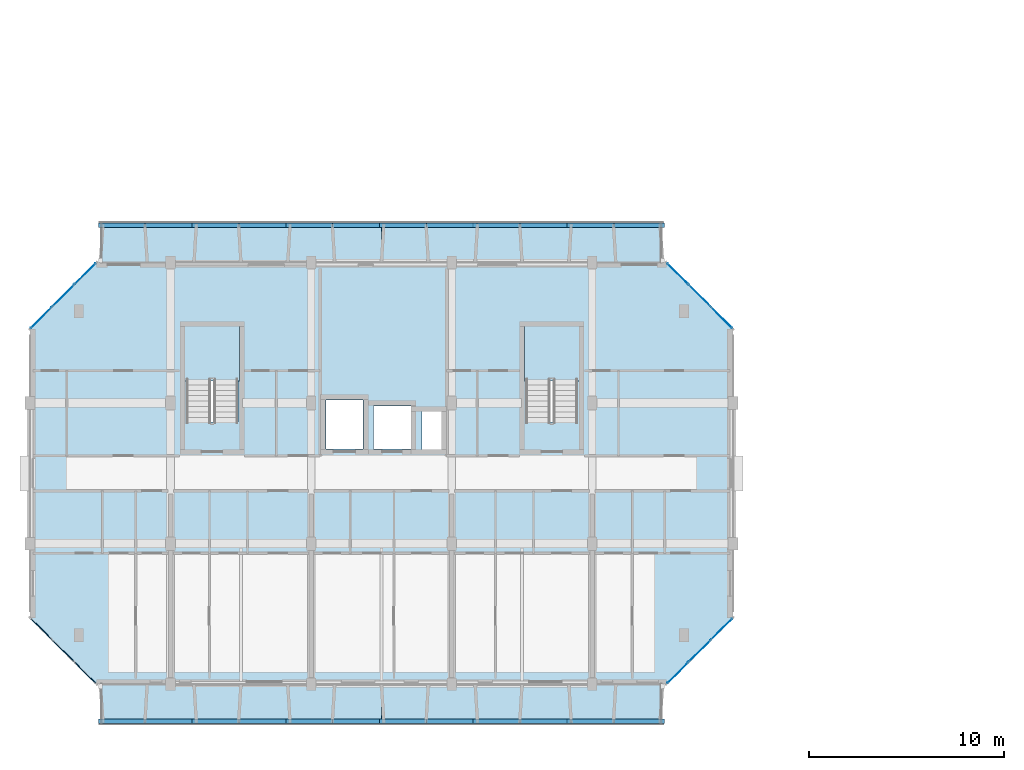
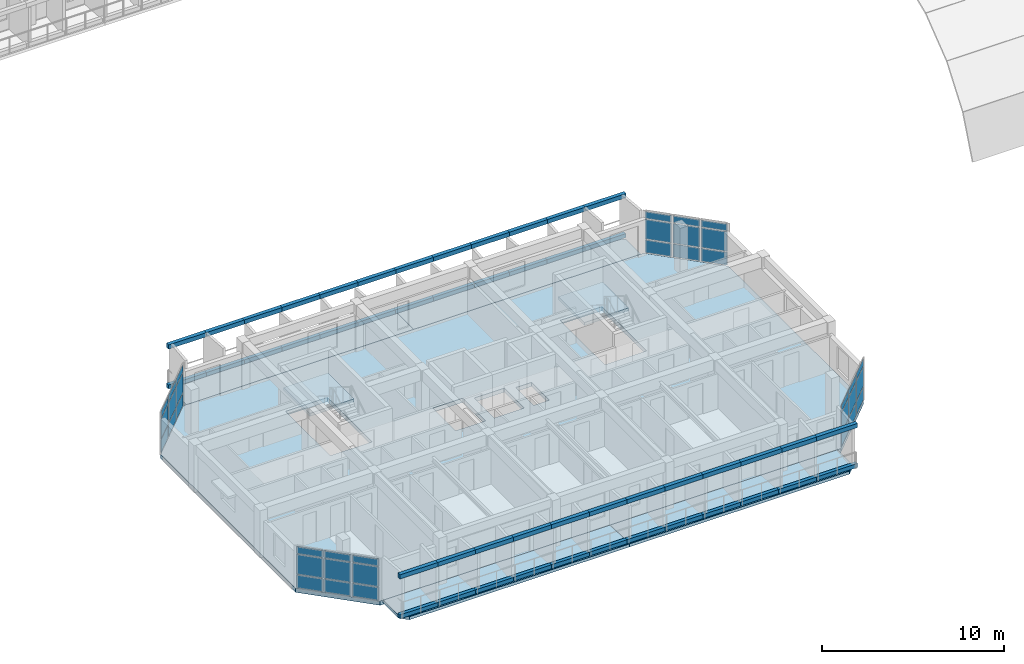
# One storey, part 12 of 51: 84 plates, 7 slabs, 6 elements without a shape of their own.
"""IFC4 building model written with IfcOpenShell, lengths in metres."""

from ifc_helpers import new_model, si_unit, direction, frame, origin, origin_2d, place, context, subcontext, project, spatial, polyline, rectangle, outline, extrude, material, layer, layer_set, type_object, element, aggregate, save


model = new_model("IFC4")

# Units and contexts
model_context = context("Model", 3, precision=1e-05, world=origin(), true_north=direction((0.0, 1.0)))
body_context = subcontext(model_context, "Body", "Model", "MODEL_VIEW")
ifc_project = project(units=[si_unit("LENGTHUNIT", "METRE"), si_unit("AREAUNIT", "SQUARE_METRE"), si_unit("VOLUMEUNIT", "CUBIC_METRE"), si_unit("PLANEANGLEUNIT", "RADIAN"), si_unit("MASSUNIT", "GRAM", prefix="KILO")], contexts=[model_context])

# Site, building, storey
site_placement = place(None, origin())
site = spatial("IfcSite", under=ifc_project, at=site_placement, CompositionType="ELEMENT")
building_placement = place(site_placement, origin())
building = spatial("IfcBuilding", under=site, at=building_placement, Name="Ochrevale Crest", CompositionType="ELEMENT")
storey_placement = place(building_placement, frame((0.0, 0.0, 11.85009765625)))
storey = spatial("IfcBuildingStorey", under=building, at=storey_placement, Name="L03", CompositionType="ELEMENT", Elevation=11.85009765625)

# Curtain wall, plates
ifc_material_1 = material(Name="Anodised aluminium 6063-T5", Category="aluminium")
ifc_layer_1 = layer(ifc_material_1, 0.14990234375)
ifc_layer_set_1 = layer_set([ifc_layer_1], Name="Anodised aluminium 6063-T5")
curtain_wall_type_1 = type_object("IfcCurtainWallType", Name="CW-WG-240x285", PredefinedType="NOTDEFINED", material=ifc_layer_set_1)
curtain_wall_1_placement = place(storey_placement, origin())
curtain_wall_1 = element("IfcCurtainWall", 1, at=curtain_wall_1_placement, inside=storey, type_object=curtain_wall_type_1, Name="Block A L03 chamfered corner wintergarden curtain wall 2", PredefinedType="NOTDEFINED")
ifc_material_2 = material(Name="Double-glazed low-E insulated glass unit", Category="glass")
ifc_layer_2 = layer(ifc_material_2, 0.028076171875)
ifc_layer_set_2 = layer_set([ifc_layer_2], Name="Double-glazed low-E insulated glass unit")
plate_type_1 = type_object("IfcPlateType", Name="CW-PNL-IGU28", PredefinedType="CURTAIN_PANEL", material=ifc_layer_set_2)
plate_1_placement = place(storey_placement, frame((33.179931640625, 14.97998046875, 0.06005859375), z_axis=(0.0, 0.0, 1.0), x_axis=(0.707106781187, 0.707106781187, 0.0)))
plate_1 = element("IfcPlate", 2, at=plate_1_placement, type_object=plate_type_1, Name="CW15 panel 1.1", PredefinedType="CURTAIN_PANEL", context=body_context, shape_type="SweptSolid", body=[
    extrude(rectangle(XDim=1.490234375, YDim=0.028076171875, at=origin_2d()), origin(), (0.0, 0.0, 1.0), 0.860107421875),
])
plate_2_placement = place(storey_placement, frame((33.179931640625, 14.97998046875, 0.97998046875), z_axis=(0.0, 0.0, 1.0), x_axis=(0.707106781187, 0.707106781187, 0.0)))
plate_2 = element("IfcPlate", 3, at=plate_2_placement, type_object=plate_type_1, Name="CW15 panel 1.2", PredefinedType="CURTAIN_PANEL", context=body_context, shape_type="SweptSolid", body=[
    extrude(rectangle(XDim=1.490234375, YDim=0.028076171875, at=origin_2d()), origin(), (0.0, 0.0, 1.0), 1.31494140625),
])
plate_3_placement = place(storey_placement, frame((33.179931640625, 14.97998046875, 2.35498046875), z_axis=(0.0, 0.0, 1.0), x_axis=(0.707106781187, 0.707106781187, 0.0)))
plate_3 = element("IfcPlate", 4, at=plate_3_placement, type_object=plate_type_1, Name="CW15 panel 1.3", PredefinedType="CURTAIN_PANEL", context=body_context, shape_type="SweptSolid", body=[
    extrude(rectangle(XDim=1.490234375, YDim=0.028076171875, at=origin_2d()), origin(), (0.0, 0.0, 1.0), 0.4599609375),
])
plate_4_placement = place(storey_placement, frame((34.300048828125, 16.10009765625, 0.06005859375), z_axis=(0.0, 0.0, 1.0), x_axis=(0.707106781187, 0.707106781187, 0.0)))
plate_4 = element("IfcPlate", 5, at=plate_4_placement, type_object=plate_type_1, Name="CW15 panel 2.1", PredefinedType="CURTAIN_PANEL", context=body_context, shape_type="SweptSolid", body=[
    extrude(rectangle(XDim=1.52783203125, YDim=0.028076171875, at=origin_2d()), origin(), (0.0, 0.0, 1.0), 0.860107421875),
])
plate_5_placement = place(storey_placement, frame((34.300048828125, 16.10009765625, 0.97998046875), z_axis=(0.0, 0.0, 1.0), x_axis=(0.707106781187, 0.707106781187, 0.0)))
plate_5 = element("IfcPlate", 6, at=plate_5_placement, type_object=plate_type_1, Name="CW15 panel 2.2", PredefinedType="CURTAIN_PANEL", context=body_context, shape_type="SweptSolid", body=[
    extrude(rectangle(XDim=1.52783203125, YDim=0.028076171875, at=origin_2d()), origin(), (0.0, 0.0, 1.0), 1.31494140625),
])
plate_6_placement = place(storey_placement, frame((34.300048828125, 16.10009765625, 2.35498046875), z_axis=(0.0, 0.0, 1.0), x_axis=(0.707106781187, 0.707106781187, 0.0)))
plate_6 = element("IfcPlate", 7, at=plate_6_placement, type_object=plate_type_1, Name="CW15 panel 2.3", PredefinedType="CURTAIN_PANEL", context=body_context, shape_type="SweptSolid", body=[
    extrude(rectangle(XDim=1.52783203125, YDim=0.028076171875, at=origin_2d()), origin(), (0.0, 0.0, 1.0), 0.4599609375),
])
plate_7_placement = place(storey_placement, frame((35.420166015625, 17.219970703125, 0.06005859375), z_axis=(0.0, 0.0, 1.0), x_axis=(0.707106781187, 0.707106781187, 0.0)))
plate_7 = element("IfcPlate", 8, at=plate_7_placement, type_object=plate_type_1, Name="CW15 panel 3.1", PredefinedType="CURTAIN_PANEL", context=body_context, shape_type="SweptSolid", body=[
    extrude(rectangle(XDim=1.490234375, YDim=0.028076171875, at=origin_2d()), origin(), (0.0, 0.0, 1.0), 0.860107421875),
])
plate_8_placement = place(storey_placement, frame((35.420166015625, 17.219970703125, 0.97998046875), z_axis=(0.0, 0.0, 1.0), x_axis=(0.707106781187, 0.707106781187, 0.0)))
plate_8 = element("IfcPlate", 9, at=plate_8_placement, type_object=plate_type_1, Name="CW15 panel 3.2", PredefinedType="CURTAIN_PANEL", context=body_context, shape_type="SweptSolid", body=[
    extrude(rectangle(XDim=1.490234375, YDim=0.028076171875, at=origin_2d()), origin(), (0.0, 0.0, 1.0), 1.31494140625),
])
plate_9_placement = place(storey_placement, frame((35.420166015625, 17.219970703125, 2.35498046875), z_axis=(0.0, 0.0, 1.0), x_axis=(0.707106781187, 0.707106781187, 0.0)))
plate_9 = element("IfcPlate", 10, at=plate_9_placement, type_object=plate_type_1, Name="CW15 panel 3.3", PredefinedType="CURTAIN_PANEL", context=body_context, shape_type="SweptSolid", body=[
    extrude(rectangle(XDim=1.490234375, YDim=0.028076171875, at=origin_2d()), origin(), (0.0, 0.0, 1.0), 0.4599609375),
])
aggregate(curtain_wall_1, [plate_1, plate_2, plate_3, plate_4, plate_5, plate_6, plate_7, plate_8, plate_9])

ifc_layer_3 = layer(ifc_material_1, 0.14990234375)
ifc_layer_set_3 = layer_set([ifc_layer_3], Name="Anodised aluminium 6063-T5")
curtain_wall_type_2 = type_object("IfcCurtainWallType", Name="CW-WG-320x285", PredefinedType="NOTDEFINED", material=ifc_layer_set_3)
curtain_wall_2_placement = place(storey_placement, origin())
curtain_wall_2 = element("IfcCurtainWall", 11, at=curtain_wall_2_placement, inside=storey, type_object=curtain_wall_type_2, Name="Block A L03 chamfered corner wintergarden curtain wall 4", PredefinedType="NOTDEFINED")
plate_10_placement = place(storey_placement, frame((35.420166015625, 33.179931640625, 0.06005859375), z_axis=(0.0, 0.0, 1.0), x_axis=(-0.707106781187, 0.707106781187, 0.0)))
plate_10 = element("IfcPlate", 12, at=plate_10_placement, type_object=plate_type_1, Name="CW17 panel 1.1", PredefinedType="CURTAIN_PANEL", context=body_context, shape_type="SweptSolid", body=[
    extrude(rectangle(XDim=1.490234375, YDim=0.028076171875, at=origin_2d()), origin(), (0.0, 0.0, 1.0), 0.860107421875),
])
plate_11_placement = place(storey_placement, frame((35.420166015625, 33.179931640625, 0.97998046875), z_axis=(0.0, 0.0, 1.0), x_axis=(-0.707106781187, 0.707106781187, 0.0)))
plate_11 = element("IfcPlate", 13, at=plate_11_placement, type_object=plate_type_1, Name="CW17 panel 1.2", PredefinedType="CURTAIN_PANEL", context=body_context, shape_type="SweptSolid", body=[
    extrude(rectangle(XDim=1.490234375, YDim=0.028076171875, at=origin_2d()), origin(), (0.0, 0.0, 1.0), 1.31494140625),
])
plate_12_placement = place(storey_placement, frame((35.420166015625, 33.179931640625, 2.35498046875), z_axis=(0.0, 0.0, 1.0), x_axis=(-0.707106781187, 0.707106781187, 0.0)))
plate_12 = element("IfcPlate", 14, at=plate_12_placement, type_object=plate_type_1, Name="CW17 panel 1.3", PredefinedType="CURTAIN_PANEL", context=body_context, shape_type="SweptSolid", body=[
    extrude(rectangle(XDim=1.490234375, YDim=0.028076171875, at=origin_2d()), origin(), (0.0, 0.0, 1.0), 0.4599609375),
])
plate_13_placement = place(storey_placement, frame((34.300048828125, 34.300048828125, 0.06005859375), z_axis=(0.0, 0.0, 1.0), x_axis=(-0.707106781187, 0.707106781187, 0.0)))
plate_13 = element("IfcPlate", 15, at=plate_13_placement, type_object=plate_type_1, Name="CW17 panel 2.1", PredefinedType="CURTAIN_PANEL", context=body_context, shape_type="SweptSolid", body=[
    extrude(rectangle(XDim=1.52783203125, YDim=0.028076171875, at=origin_2d()), origin(), (0.0, 0.0, 1.0), 0.860107421875),
])
plate_14_placement = place(storey_placement, frame((34.300048828125, 34.300048828125, 0.97998046875), z_axis=(0.0, 0.0, 1.0), x_axis=(-0.707106781187, 0.707106781187, 0.0)))
plate_14 = element("IfcPlate", 16, at=plate_14_placement, type_object=plate_type_1, Name="CW17 panel 2.2", PredefinedType="CURTAIN_PANEL", context=body_context, shape_type="SweptSolid", body=[
    extrude(rectangle(XDim=1.52783203125, YDim=0.028076171875, at=origin_2d()), origin(), (0.0, 0.0, 1.0), 1.31494140625),
])
plate_15_placement = place(storey_placement, frame((34.300048828125, 34.300048828125, 2.35498046875), z_axis=(0.0, 0.0, 1.0), x_axis=(-0.707106781187, 0.707106781187, 0.0)))
plate_15 = element("IfcPlate", 17, at=plate_15_placement, type_object=plate_type_1, Name="CW17 panel 2.3", PredefinedType="CURTAIN_PANEL", context=body_context, shape_type="SweptSolid", body=[
    extrude(rectangle(XDim=1.52783203125, YDim=0.028076171875, at=origin_2d()), origin(), (0.0, 0.0, 1.0), 0.4599609375),
])
plate_16_placement = place(storey_placement, frame((33.179931640625, 35.420166015625, 0.06005859375), z_axis=(0.0, 0.0, 1.0), x_axis=(-0.707106781187, 0.707106781187, 0.0)))
plate_16 = element("IfcPlate", 18, at=plate_16_placement, type_object=plate_type_1, Name="CW17 panel 3.1", PredefinedType="CURTAIN_PANEL", context=body_context, shape_type="SweptSolid", body=[
    extrude(rectangle(XDim=1.490234375, YDim=0.028076171875, at=origin_2d()), origin(), (0.0, 0.0, 1.0), 0.860107421875),
])
plate_17_placement = place(storey_placement, frame((33.179931640625, 35.420166015625, 0.97998046875), z_axis=(0.0, 0.0, 1.0), x_axis=(-0.707106781187, 0.707106781187, 0.0)))
plate_17 = element("IfcPlate", 19, at=plate_17_placement, type_object=plate_type_1, Name="CW17 panel 3.2", PredefinedType="CURTAIN_PANEL", context=body_context, shape_type="SweptSolid", body=[
    extrude(rectangle(XDim=1.490234375, YDim=0.028076171875, at=origin_2d()), origin(), (0.0, 0.0, 1.0), 1.31494140625),
])
plate_18_placement = place(storey_placement, frame((33.179931640625, 35.420166015625, 2.35498046875), z_axis=(0.0, 0.0, 1.0), x_axis=(-0.707106781187, 0.707106781187, 0.0)))
plate_18 = element("IfcPlate", 20, at=plate_18_placement, type_object=plate_type_1, Name="CW17 panel 3.3", PredefinedType="CURTAIN_PANEL", context=body_context, shape_type="SweptSolid", body=[
    extrude(rectangle(XDim=1.490234375, YDim=0.028076171875, at=origin_2d()), origin(), (0.0, 0.0, 1.0), 0.4599609375),
])
aggregate(curtain_wall_2, [plate_10, plate_11, plate_12, plate_13, plate_14, plate_15, plate_16, plate_17, plate_18])

ifc_layer_4 = layer(ifc_material_1, 0.14990234375)
ifc_layer_set_4 = layer_set([ifc_layer_4], Name="Anodised aluminium 6063-T5")
curtain_wall_type_3 = type_object("IfcCurtainWallType", Name="CW-WG-420x285", PredefinedType="NOTDEFINED", material=ifc_layer_set_4)
curtain_wall_3_placement = place(storey_placement, origin())
curtain_wall_3 = element("IfcCurtainWall", 21, at=curtain_wall_3_placement, inside=storey, type_object=curtain_wall_type_3, Name="Block A L03 chamfered corner wintergarden curtain wall 6", PredefinedType="NOTDEFINED")
plate_19_placement = place(storey_placement, frame((2.820068359375, 35.420166015625, 0.06005859375), z_axis=(0.0, 0.0, 1.0), x_axis=(-0.707106781187, -0.707106781187, 0.0)))
plate_19 = element("IfcPlate", 22, at=plate_19_placement, type_object=plate_type_1, Name="CW22 panel 1.1", PredefinedType="CURTAIN_PANEL", context=body_context, shape_type="SweptSolid", body=[
    extrude(rectangle(XDim=1.490234375, YDim=0.028076171875, at=origin_2d()), origin(), (0.0, 0.0, 1.0), 0.860107421875),
])
plate_20_placement = place(storey_placement, frame((2.820068359375, 35.420166015625, 0.97998046875), z_axis=(0.0, 0.0, 1.0), x_axis=(-0.707106781187, -0.707106781187, 0.0)))
plate_20 = element("IfcPlate", 23, at=plate_20_placement, type_object=plate_type_1, Name="CW22 panel 1.2", PredefinedType="CURTAIN_PANEL", context=body_context, shape_type="SweptSolid", body=[
    extrude(rectangle(XDim=1.490234375, YDim=0.028076171875, at=origin_2d()), origin(), (0.0, 0.0, 1.0), 1.31494140625),
])
plate_21_placement = place(storey_placement, frame((2.820068359375, 35.420166015625, 2.35498046875), z_axis=(0.0, 0.0, 1.0), x_axis=(-0.707106781187, -0.707106781187, 0.0)))
plate_21 = element("IfcPlate", 24, at=plate_21_placement, type_object=plate_type_1, Name="CW22 panel 1.3", PredefinedType="CURTAIN_PANEL", context=body_context, shape_type="SweptSolid", body=[
    extrude(rectangle(XDim=1.490234375, YDim=0.028076171875, at=origin_2d()), origin(), (0.0, 0.0, 1.0), 0.4599609375),
])
plate_22_placement = place(storey_placement, frame((1.699951171875, 34.300048828125, 0.06005859375), z_axis=(0.0, 0.0, 1.0), x_axis=(-0.707106781187, -0.707106781187, 0.0)))
plate_22 = element("IfcPlate", 25, at=plate_22_placement, type_object=plate_type_1, Name="CW22 panel 2.1", PredefinedType="CURTAIN_PANEL", context=body_context, shape_type="SweptSolid", body=[
    extrude(rectangle(XDim=1.52783203125, YDim=0.028076171875, at=origin_2d()), origin(), (0.0, 0.0, 1.0), 0.860107421875),
])
plate_23_placement = place(storey_placement, frame((1.699951171875, 34.300048828125, 0.97998046875), z_axis=(0.0, 0.0, 1.0), x_axis=(-0.707106781187, -0.707106781187, 0.0)))
plate_23 = element("IfcPlate", 26, at=plate_23_placement, type_object=plate_type_1, Name="CW22 panel 2.2", PredefinedType="CURTAIN_PANEL", context=body_context, shape_type="SweptSolid", body=[
    extrude(rectangle(XDim=1.52783203125, YDim=0.028076171875, at=origin_2d()), origin(), (0.0, 0.0, 1.0), 1.31494140625),
])
plate_24_placement = place(storey_placement, frame((1.699951171875, 34.300048828125, 2.35498046875), z_axis=(0.0, 0.0, 1.0), x_axis=(-0.707106781187, -0.707106781187, 0.0)))
plate_24 = element("IfcPlate", 27, at=plate_24_placement, type_object=plate_type_1, Name="CW22 panel 2.3", PredefinedType="CURTAIN_PANEL", context=body_context, shape_type="SweptSolid", body=[
    extrude(rectangle(XDim=1.52783203125, YDim=0.028076171875, at=origin_2d()), origin(), (0.0, 0.0, 1.0), 0.4599609375),
])
plate_25_placement = place(storey_placement, frame((0.579833984375, 33.179931640625, 0.06005859375), z_axis=(0.0, 0.0, 1.0), x_axis=(-0.707106781187, -0.707106781187, 0.0)))
plate_25 = element("IfcPlate", 28, at=plate_25_placement, type_object=plate_type_1, Name="CW22 panel 3.1", PredefinedType="CURTAIN_PANEL", context=body_context, shape_type="SweptSolid", body=[
    extrude(rectangle(XDim=1.490234375, YDim=0.028076171875, at=origin_2d()), origin(), (0.0, 0.0, 1.0), 0.860107421875),
])
plate_26_placement = place(storey_placement, frame((0.579833984375, 33.179931640625, 0.97998046875), z_axis=(0.0, 0.0, 1.0), x_axis=(-0.707106781187, -0.707106781187, 0.0)))
plate_26 = element("IfcPlate", 29, at=plate_26_placement, type_object=plate_type_1, Name="CW22 panel 3.2", PredefinedType="CURTAIN_PANEL", context=body_context, shape_type="SweptSolid", body=[
    extrude(rectangle(XDim=1.490234375, YDim=0.028076171875, at=origin_2d()), origin(), (0.0, 0.0, 1.0), 1.31494140625),
])
plate_27_placement = place(storey_placement, frame((0.579833984375, 33.179931640625, 2.35498046875), z_axis=(0.0, 0.0, 1.0), x_axis=(-0.707106781187, -0.707106781187, 0.0)))
plate_27 = element("IfcPlate", 30, at=plate_27_placement, type_object=plate_type_1, Name="CW22 panel 3.3", PredefinedType="CURTAIN_PANEL", context=body_context, shape_type="SweptSolid", body=[
    extrude(rectangle(XDim=1.490234375, YDim=0.028076171875, at=origin_2d()), origin(), (0.0, 0.0, 1.0), 0.4599609375),
])
aggregate(curtain_wall_3, [plate_19, plate_20, plate_21, plate_22, plate_23, plate_24, plate_25, plate_26, plate_27])

ifc_layer_5 = layer(ifc_material_1, 0.14990234375)
ifc_layer_set_5 = layer_set([ifc_layer_5], Name="Anodised aluminium 6063-T5")
curtain_wall_type_4 = type_object("IfcCurtainWallType", Name="CW-WG-280x285", PredefinedType="NOTDEFINED", material=ifc_layer_set_5)
curtain_wall_4_placement = place(storey_placement, origin())
curtain_wall_4 = element("IfcCurtainWall", 31, at=curtain_wall_4_placement, inside=storey, type_object=curtain_wall_type_4, Name="Block A L03 chamfered corner wintergarden curtain wall 8", PredefinedType="NOTDEFINED")
ifc_material_3 = material(Name="Acoustic laminated low-E insulated glass unit", Category="glass")
ifc_layer_6 = layer(ifc_material_3, 0.0380859375)
ifc_layer_set_6 = layer_set([ifc_layer_6], Name="Acoustic laminated low-E insulated glass unit")
plate_type_2 = type_object("IfcPlateType", Name="CW-PNL-IGU38", PredefinedType="CURTAIN_PANEL", material=ifc_layer_set_6)
plate_28_placement = place(storey_placement, frame((0.579833984375, 17.219970703125, 0.06005859375), z_axis=(0.0, 0.0, 1.0), x_axis=(0.707106781187, -0.707106781187, 0.0)))
plate_28 = element("IfcPlate", 32, at=plate_28_placement, type_object=plate_type_2, Name="CW16 panel 1.1", PredefinedType="CURTAIN_PANEL", context=body_context, shape_type="SweptSolid", body=[
    extrude(rectangle(XDim=1.490234375, YDim=0.0380859375, at=origin_2d()), origin(), (0.0, 0.0, 1.0), 0.860107421875),
])
plate_29_placement = place(storey_placement, frame((0.579833984375, 17.219970703125, 0.97998046875), z_axis=(0.0, 0.0, 1.0), x_axis=(0.707106781187, -0.707106781187, 0.0)))
plate_29 = element("IfcPlate", 33, at=plate_29_placement, type_object=plate_type_2, Name="CW16 panel 1.2", PredefinedType="CURTAIN_PANEL", context=body_context, shape_type="SweptSolid", body=[
    extrude(rectangle(XDim=1.490234375, YDim=0.0380859375, at=origin_2d()), origin(), (0.0, 0.0, 1.0), 1.31494140625),
])
plate_30_placement = place(storey_placement, frame((0.579833984375, 17.219970703125, 2.35498046875), z_axis=(0.0, 0.0, 1.0), x_axis=(0.707106781187, -0.707106781187, 0.0)))
plate_30 = element("IfcPlate", 34, at=plate_30_placement, type_object=plate_type_2, Name="CW16 panel 1.3", PredefinedType="CURTAIN_PANEL", context=body_context, shape_type="SweptSolid", body=[
    extrude(rectangle(XDim=1.490234375, YDim=0.0380859375, at=origin_2d()), origin(), (0.0, 0.0, 1.0), 0.4599609375),
])
plate_31_placement = place(storey_placement, frame((1.699951171875, 16.10009765625, 0.06005859375), z_axis=(0.0, 0.0, 1.0), x_axis=(0.707106781187, -0.707106781187, 0.0)))
plate_31 = element("IfcPlate", 35, at=plate_31_placement, type_object=plate_type_2, Name="CW16 panel 2.1", PredefinedType="CURTAIN_PANEL", context=body_context, shape_type="SweptSolid", body=[
    extrude(rectangle(XDim=1.52783203125, YDim=0.0380859375, at=origin_2d()), origin(), (0.0, 0.0, 1.0), 0.860107421875),
])
plate_32_placement = place(storey_placement, frame((1.699951171875, 16.10009765625, 0.97998046875), z_axis=(0.0, 0.0, 1.0), x_axis=(0.707106781187, -0.707106781187, 0.0)))
plate_32 = element("IfcPlate", 36, at=plate_32_placement, type_object=plate_type_2, Name="CW16 panel 2.2", PredefinedType="CURTAIN_PANEL", context=body_context, shape_type="SweptSolid", body=[
    extrude(rectangle(XDim=1.52783203125, YDim=0.0380859375, at=origin_2d()), origin(), (0.0, 0.0, 1.0), 1.31494140625),
])
plate_33_placement = place(storey_placement, frame((1.699951171875, 16.10009765625, 2.35498046875), z_axis=(0.0, 0.0, 1.0), x_axis=(0.707106781187, -0.707106781187, 0.0)))
plate_33 = element("IfcPlate", 37, at=plate_33_placement, type_object=plate_type_2, Name="CW16 panel 2.3", PredefinedType="CURTAIN_PANEL", context=body_context, shape_type="SweptSolid", body=[
    extrude(rectangle(XDim=1.52783203125, YDim=0.0380859375, at=origin_2d()), origin(), (0.0, 0.0, 1.0), 0.4599609375),
])
plate_34_placement = place(storey_placement, frame((2.820068359375, 14.97998046875, 0.06005859375), z_axis=(0.0, 0.0, 1.0), x_axis=(0.707106781187, -0.707106781187, 0.0)))
plate_34 = element("IfcPlate", 38, at=plate_34_placement, type_object=plate_type_2, Name="CW16 panel 3.1", PredefinedType="CURTAIN_PANEL", context=body_context, shape_type="SweptSolid", body=[
    extrude(rectangle(XDim=1.490234375, YDim=0.0380859375, at=origin_2d()), origin(), (0.0, 0.0, 1.0), 0.860107421875),
])
plate_35_placement = place(storey_placement, frame((2.820068359375, 14.97998046875, 0.97998046875), z_axis=(0.0, 0.0, 1.0), x_axis=(0.707106781187, -0.707106781187, 0.0)))
plate_35 = element("IfcPlate", 39, at=plate_35_placement, type_object=plate_type_2, Name="CW16 panel 3.2", PredefinedType="CURTAIN_PANEL", context=body_context, shape_type="SweptSolid", body=[
    extrude(rectangle(XDim=1.490234375, YDim=0.0380859375, at=origin_2d()), origin(), (0.0, 0.0, 1.0), 1.31494140625),
])
plate_36_placement = place(storey_placement, frame((2.820068359375, 14.97998046875, 2.35498046875), z_axis=(0.0, 0.0, 1.0), x_axis=(0.707106781187, -0.707106781187, 0.0)))
plate_36 = element("IfcPlate", 40, at=plate_36_placement, type_object=plate_type_2, Name="CW16 panel 3.3", PredefinedType="CURTAIN_PANEL", context=body_context, shape_type="SweptSolid", body=[
    extrude(rectangle(XDim=1.490234375, YDim=0.0380859375, at=origin_2d()), origin(), (0.0, 0.0, 1.0), 0.4599609375),
])
aggregate(curtain_wall_4, [plate_28, plate_29, plate_30, plate_31, plate_32, plate_33, plate_34, plate_35, plate_36])

# Plates
ifc_material_4 = material(Name="Precast concrete C40/50", Category="concrete")
ifc_layer_7 = layer(ifc_material_4, 0.06005859375)
ifc_layer_set_7 = layer_set([ifc_layer_7], Name="Precast concrete C40/50")
plate_type_3 = type_object("IfcPlateType", Name="PLT-HC-HEAD-60", PredefinedType="USERDEFINED", material=ifc_layer_set_7)
for number, where, z_axis, x_axis, name in (
    (41, (4.800048828125, 12.5, 2.669921875), (0.0, 0.0, 1.0), (1.0, 0.0, 0.0), "Block A L03 S honeycomb arched lintel fascia 1"),
    (42, (7.199951171875, 12.5, 2.669921875), (0.0, 0.0, 1.0), (1.0, 0.0, 0.0), "Block A L03 S honeycomb arched lintel fascia 2"),
    (43, (9.60009765625, 12.5, 2.669921875), (0.0, 0.0, 1.0), (1.0, 0.0, 0.0), "Block A L03 S honeycomb arched lintel fascia 3"),
    (44, (12.0, 12.5, 2.669921875), (0.0, 0.0, 1.0), (1.0, 0.0, 0.0), "Block A L03 S honeycomb arched lintel fascia 4"),
    (45, (14.39990234375, 12.5, 2.669921875), (0.0, 0.0, 1.0), (1.0, 0.0, 0.0), "Block A L03 S honeycomb arched lintel fascia 5"),
    (46, (16.800048828125, 12.5, 2.669921875), (0.0, 0.0, 1.0), (1.0, 0.0, 0.0), "Block A L03 S honeycomb arched lintel fascia 6"),
    (47, (19.199951171875, 12.5, 2.669921875), (0.0, 0.0, 1.0), (1.0, 0.0, 0.0), "Block A L03 S honeycomb arched lintel fascia 7"),
    (48, (21.60009765625, 12.5, 2.669921875), (0.0, 0.0, 1.0), (1.0, 0.0, 0.0), "Block A L03 S honeycomb arched lintel fascia 8"),
    (49, (24.0, 12.5, 2.669921875), (0.0, 0.0, 1.0), (1.0, 0.0, 0.0), "Block A L03 S honeycomb arched lintel fascia 9"),
    (50, (26.39990234375, 12.5, 2.669921875), (0.0, 0.0, 1.0), (1.0, 0.0, 0.0), "Block A L03 S honeycomb arched lintel fascia 10"),
    (51, (28.800048828125, 12.5, 2.669921875), (0.0, 0.0, 1.0), (1.0, 0.0, 0.0), "Block A L03 S honeycomb arched lintel fascia 11"),
    (52, (31.199951171875, 12.5, 2.669921875), (0.0, 0.0, 1.0), (1.0, 0.0, 0.0), "Block A L03 S honeycomb arched lintel fascia 12"),
    (53, (4.800048828125, 37.89990234375, 2.669921875), (0.0, 0.0, 1.0), (1.0, 0.0, 0.0), "Block A L03 N honeycomb arched lintel fascia 1"),
    (54, (7.199951171875, 37.89990234375, 2.669921875), (0.0, 0.0, 1.0), (1.0, 0.0, 0.0), "Block A L03 N honeycomb arched lintel fascia 2"),
    (55, (9.60009765625, 37.89990234375, 2.669921875), (0.0, 0.0, 1.0), (1.0, 0.0, 0.0), "Block A L03 N honeycomb arched lintel fascia 3"),
    (56, (12.0, 37.89990234375, 2.669921875), (0.0, 0.0, 1.0), (1.0, 0.0, 0.0), "Block A L03 N honeycomb arched lintel fascia 4"),
    (57, (14.39990234375, 37.89990234375, 2.669921875), (0.0, 0.0, 1.0), (1.0, 0.0, 0.0), "Block A L03 N honeycomb arched lintel fascia 5"),
    (58, (16.800048828125, 37.89990234375, 2.669921875), (0.0, 0.0, 1.0), (1.0, 0.0, 0.0), "Block A L03 N honeycomb arched lintel fascia 6"),
    (59, (19.199951171875, 37.89990234375, 2.669921875), (0.0, 0.0, 1.0), (1.0, 0.0, 0.0), "Block A L03 N honeycomb arched lintel fascia 7"),
    (60, (21.60009765625, 37.89990234375, 2.669921875), (0.0, 0.0, 1.0), (1.0, 0.0, 0.0), "Block A L03 N honeycomb arched lintel fascia 8"),
    (61, (24.0, 37.89990234375, 2.669921875), (0.0, 0.0, 1.0), (1.0, 0.0, 0.0), "Block A L03 N honeycomb arched lintel fascia 9"),
    (62, (26.39990234375, 37.89990234375, 2.669921875), (0.0, 0.0, 1.0), (1.0, 0.0, 0.0), "Block A L03 N honeycomb arched lintel fascia 10"),
    (63, (28.800048828125, 37.89990234375, 2.669921875), (0.0, 0.0, 1.0), (1.0, 0.0, 0.0), "Block A L03 N honeycomb arched lintel fascia 11"),
    (64, (31.199951171875, 37.89990234375, 2.669921875), (0.0, 0.0, 1.0), (1.0, 0.0, 0.0), "Block A L03 N honeycomb arched lintel fascia 12"),
):
    element("IfcPlate", number, at=place(storey_placement, frame(where, z_axis=z_axis, x_axis=x_axis)), inside=storey, type_object=plate_type_3, Name=name, ObjectType="FACADE FASCIA PLATE", PredefinedType="USERDEFINED", context=body_context, shape_type="SweptSolid", body=[
        extrude(rectangle(XDim=2.60009765625, YDim=0.239990234375, at=origin_2d()), origin(), (0.0, 0.0, 1.0), 0.280029296875),
    ])
ifc_layer_8 = layer(ifc_material_4, 0.044921875)
ifc_layer_set_8 = layer_set([ifc_layer_8], Name="Precast concrete C40/50")
plate_type_4 = type_object("IfcPlateType", Name="PLT-HC-SILL-45", PredefinedType="USERDEFINED", material=ifc_layer_set_8)
for number, where, z_axis, x_axis, name in (
    (65, (4.800048828125, 12.5, 0.0), (0.0, 0.0, 1.0), (1.0, 0.0, 0.0), "Block A L03 S honeycomb sill coping plate 1"),
    (66, (7.199951171875, 12.5, 0.0), (0.0, 0.0, 1.0), (1.0, 0.0, 0.0), "Block A L03 S honeycomb sill coping plate 2"),
    (67, (9.60009765625, 12.5, 0.0), (0.0, 0.0, 1.0), (1.0, 0.0, 0.0), "Block A L03 S honeycomb sill coping plate 3"),
    (68, (12.0, 12.5, 0.0), (0.0, 0.0, 1.0), (1.0, 0.0, 0.0), "Block A L03 S honeycomb sill coping plate 4"),
    (69, (14.39990234375, 12.5, 0.0), (0.0, 0.0, 1.0), (1.0, 0.0, 0.0), "Block A L03 S honeycomb sill coping plate 5"),
    (70, (16.800048828125, 12.5, 0.0), (0.0, 0.0, 1.0), (1.0, 0.0, 0.0), "Block A L03 S honeycomb sill coping plate 6"),
    (71, (19.199951171875, 12.5, 0.0), (0.0, 0.0, 1.0), (1.0, 0.0, 0.0), "Block A L03 S honeycomb sill coping plate 7"),
    (72, (21.60009765625, 12.5, 0.0), (0.0, 0.0, 1.0), (1.0, 0.0, 0.0), "Block A L03 S honeycomb sill coping plate 8"),
    (73, (24.0, 12.5, 0.0), (0.0, 0.0, 1.0), (1.0, 0.0, 0.0), "Block A L03 S honeycomb sill coping plate 9"),
    (74, (26.39990234375, 12.5, 0.0), (0.0, 0.0, 1.0), (1.0, 0.0, 0.0), "Block A L03 S honeycomb sill coping plate 10"),
    (75, (28.800048828125, 12.5, 0.0), (0.0, 0.0, 1.0), (1.0, 0.0, 0.0), "Block A L03 S honeycomb sill coping plate 11"),
    (76, (31.199951171875, 12.5, 0.0), (0.0, 0.0, 1.0), (1.0, 0.0, 0.0), "Block A L03 S honeycomb sill coping plate 12"),
    (77, (4.800048828125, 37.89990234375, 0.0), (0.0, 0.0, 1.0), (1.0, 0.0, 0.0), "Block A L03 N honeycomb sill coping plate 1"),
    (78, (7.199951171875, 37.89990234375, 0.0), (0.0, 0.0, 1.0), (1.0, 0.0, 0.0), "Block A L03 N honeycomb sill coping plate 2"),
    (79, (9.60009765625, 37.89990234375, 0.0), (0.0, 0.0, 1.0), (1.0, 0.0, 0.0), "Block A L03 N honeycomb sill coping plate 3"),
    (80, (12.0, 37.89990234375, 0.0), (0.0, 0.0, 1.0), (1.0, 0.0, 0.0), "Block A L03 N honeycomb sill coping plate 4"),
    (81, (14.39990234375, 37.89990234375, 0.0), (0.0, 0.0, 1.0), (1.0, 0.0, 0.0), "Block A L03 N honeycomb sill coping plate 5"),
    (82, (16.800048828125, 37.89990234375, 0.0), (0.0, 0.0, 1.0), (1.0, 0.0, 0.0), "Block A L03 N honeycomb sill coping plate 6"),
    (83, (19.199951171875, 37.89990234375, 0.0), (0.0, 0.0, 1.0), (1.0, 0.0, 0.0), "Block A L03 N honeycomb sill coping plate 7"),
    (84, (21.60009765625, 37.89990234375, 0.0), (0.0, 0.0, 1.0), (1.0, 0.0, 0.0), "Block A L03 N honeycomb sill coping plate 8"),
    (85, (24.0, 37.89990234375, 0.0), (0.0, 0.0, 1.0), (1.0, 0.0, 0.0), "Block A L03 N honeycomb sill coping plate 9"),
    (86, (26.39990234375, 37.89990234375, 0.0), (0.0, 0.0, 1.0), (1.0, 0.0, 0.0), "Block A L03 N honeycomb sill coping plate 10"),
    (87, (28.800048828125, 37.89990234375, 0.0), (0.0, 0.0, 1.0), (1.0, 0.0, 0.0), "Block A L03 N honeycomb sill coping plate 11"),
    (88, (31.199951171875, 37.89990234375, 0.0), (0.0, 0.0, 1.0), (1.0, 0.0, 0.0), "Block A L03 N honeycomb sill coping plate 12"),
):
    element("IfcPlate", number, at=place(storey_placement, frame(where, z_axis=z_axis, x_axis=x_axis)), inside=storey, type_object=plate_type_4, Name=name, ObjectType="SILL COPING PLATE", PredefinedType="USERDEFINED", context=body_context, shape_type="SweptSolid", body=[
        extrude(rectangle(XDim=2.60009765625, YDim=0.219970703125, at=origin_2d()), origin(), (0.0, 0.0, 1.0), 0.260009765625),
    ])

# Slabs
ifc_layer_9 = layer(ifc_material_4, 0.199951171875)
ifc_layer_set_9 = layer_set([ifc_layer_9], Name="Precast concrete C40/50")
slab_type_1 = type_object("IfcSlabType", Name="SLB-BAL-200", PredefinedType="FLOOR", material=ifc_layer_set_9)
slab_1_placement = place(storey_placement, frame((0.0, 0.0, -0.2001953125)))
element("IfcSlab", 89, at=slab_1_placement, inside=storey, type_object=slab_type_1, Name="Block A L03 S1 precast loggia balcony slab", PredefinedType="FLOOR", context=body_context, shape_type="SweptSolid", body=[
    extrude(outline(polyline([(4.050048828125, 12.300048828125), (18.0, 12.300048828125), (18.0, 14.39990234375), (3.60009765625, 14.39990234375), (3.60009765625, 12.75), (4.050048828125, 12.300048828125)])), origin(), (0.0, 0.0, 1.0), 0.2001953125),
])
slab_2_placement = place(storey_placement, frame((0.0, 0.0, -0.2001953125)))
element("IfcSlab", 90, at=slab_2_placement, inside=storey, type_object=slab_type_1, Name="Block A L03 S2 precast loggia balcony slab", PredefinedType="FLOOR", context=body_context, shape_type="SweptSolid", body=[
    extrude(outline(polyline([(18.0, 12.300048828125), (31.949951171875, 12.300048828125), (32.39990234375, 12.75), (32.39990234375, 14.39990234375), (18.0, 14.39990234375), (18.0, 12.300048828125)])), origin(), (0.0, 0.0, 1.0), 0.2001953125),
])
slab_3_placement = place(storey_placement, frame((0.0, 0.0, -0.2001953125)))
element("IfcSlab", 91, at=slab_3_placement, inside=storey, type_object=slab_type_1, Name="Block A L03 N1 precast loggia balcony slab", PredefinedType="FLOOR", context=body_context, shape_type="SweptSolid", body=[
    extrude(outline(polyline([(3.60009765625, 36.0), (18.0, 36.0), (18.0, 38.10009765625), (4.050048828125, 38.10009765625), (3.60009765625, 37.64990234375), (3.60009765625, 36.0)])), origin(), (0.0, 0.0, 1.0), 0.2001953125),
])
slab_4_placement = place(storey_placement, frame((0.0, 0.0, -0.2001953125)))
element("IfcSlab", 92, at=slab_4_placement, inside=storey, type_object=slab_type_1, Name="Block A L03 N2 precast loggia balcony slab", PredefinedType="FLOOR", context=body_context, shape_type="SweptSolid", body=[
    extrude(outline(polyline([(18.0, 36.0), (32.39990234375, 36.0), (32.39990234375, 37.64990234375), (31.949951171875, 38.10009765625), (18.0, 38.10009765625), (18.0, 36.0)])), origin(), (0.0, 0.0, 1.0), 0.2001953125),
])
ifc_layer_10 = layer(ifc_material_4, 0.27490234375)
ifc_layer_set_10 = layer_set([ifc_layer_10], Name="Precast concrete C40/50")
slab_type_2 = type_object("IfcSlabType", Name="SLB-RES-275", PredefinedType="FLOOR", material=ifc_layer_set_10)
slab_5_placement = place(storey_placement, frame((0.0, 0.0, -0.275146484375)))
element("IfcSlab", 93, at=slab_5_placement, inside=storey, type_object=slab_type_2, Name="Block A L03 composite hollowcore floor slab", PredefinedType="FLOOR", context=body_context, shape_type="SweptSolid", body=[
    extrude(outline(polyline([(3.39990234375, 14.39990234375), (32.60009765625, 14.39990234375), (36.0, 17.800048828125), (36.0, 32.60009765625), (32.60009765625, 36.0), (3.39990234375, 36.0), (0.0, 32.60009765625), (0.0, 17.800048828125), (3.39990234375, 14.39990234375)]), holes=[polyline([(10.64990234375, 27.824951171875), (10.64990234375, 32.72509765625), (8.0, 32.72509765625), (8.0, 27.824951171875), (10.64990234375, 27.824951171875)]), polyline([(28.050048828125, 27.824951171875), (28.050048828125, 32.72509765625), (25.39990234375, 32.72509765625), (25.39990234375, 27.824951171875), (28.050048828125, 27.824951171875)]), polyline([(15.14990234375, 26.449951171875), (17.050048828125, 26.449951171875), (17.050048828125, 28.949951171875), (15.14990234375, 28.949951171875), (15.14990234375, 26.449951171875)]), polyline([(17.60009765625, 26.449951171875), (19.5, 26.449951171875), (19.5, 28.64990234375), (17.60009765625, 28.64990234375), (17.60009765625, 26.449951171875)]), polyline([(20.070068359375, 26.419921875), (21.080078125, 26.419921875), (21.080078125, 28.3798828125), (20.070068359375, 28.3798828125), (20.070068359375, 26.419921875)])]), origin(), (0.0, 0.0, 1.0), 0.275146484375),
])

# Stair, slab
stair_type = type_object("IfcStairType", Name="ST-CORE-DOG", PredefinedType="HALF_TURN_STAIR", material=ifc_material_4)
stair_1_placement = place(storey_placement, origin())
stair_1 = element("IfcStair", 94, at=stair_1_placement, inside=storey, type_object=stair_type, Name="L03 Block A Fire Stair 1", PredefinedType="HALF_TURN_STAIR")
ifc_layer_11 = layer(ifc_material_4, 0.199951171875)
ifc_layer_set_11 = layer_set([ifc_layer_11], Name="Precast concrete C40/50")
slab_type_3 = type_object("IfcSlabType", Name="SLB-ST-LAND", PredefinedType="LANDING", material=ifc_layer_set_11)
slab_6_placement = place(storey_placement, frame((0.0, 0.0, 1.375)))
slab_6 = element("IfcSlab", 95, at=slab_6_placement, type_object=slab_type_3, Name="ST-A1 landing 1", PredefinedType="LANDING", context=body_context, shape_type="SweptSolid", body=[
    extrude(outline(polyline([(10.72998046875, 29.93505859375), (10.72998046875, 32.804931640625), (7.919921875, 32.804931640625), (7.919921875, 29.93505859375), (10.72998046875, 29.93505859375)])), origin(), (0.0, 0.0, 1.0), 0.199951171875),
])
aggregate(stair_1, [slab_6])

stair_2_placement = place(storey_placement, origin())
stair_2 = element("IfcStair", 96, at=stair_2_placement, inside=storey, type_object=stair_type, Name="L03 Block A Fire Stair 2", PredefinedType="HALF_TURN_STAIR")
slab_7_placement = place(storey_placement, frame((0.0, 0.0, 1.375)))
slab_7 = element("IfcSlab", 97, at=slab_7_placement, type_object=slab_type_3, Name="ST-A2 landing 1", PredefinedType="LANDING", context=body_context, shape_type="SweptSolid", body=[
    extrude(outline(polyline([(28.1298828125, 29.93505859375), (28.1298828125, 32.804931640625), (25.320068359375, 32.804931640625), (25.320068359375, 29.93505859375), (28.1298828125, 29.93505859375)])), origin(), (0.0, 0.0, 1.0), 0.199951171875),
])
aggregate(stair_2, [slab_7])

save(model, "model.ifc")
